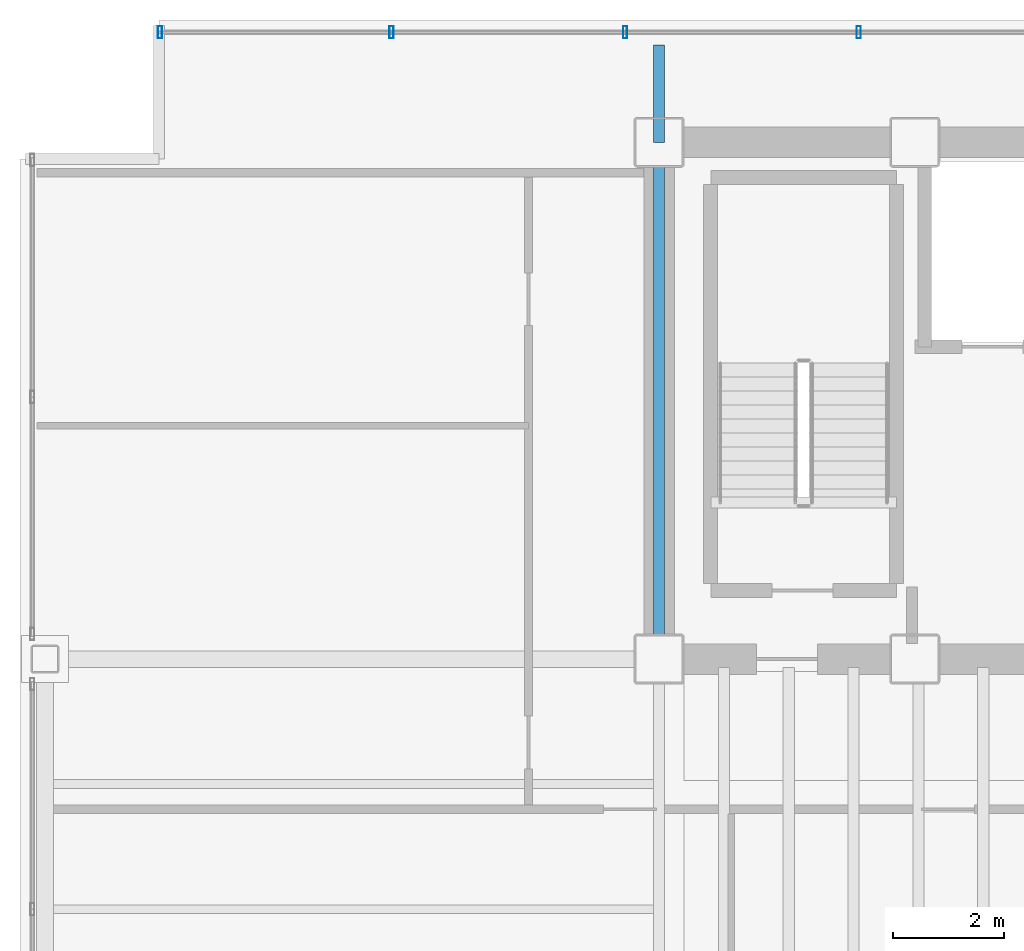
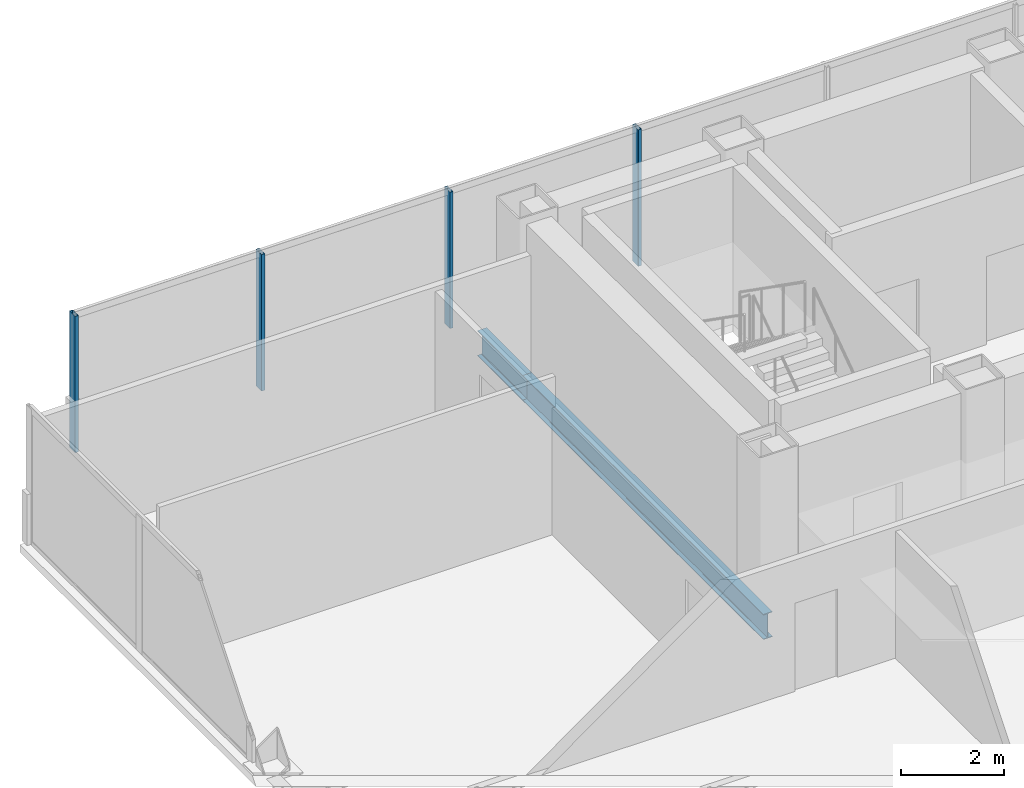
# One storey, part 8 of 20: 4 members, 2 beams, 1 element without a shape of its own.
"""IFC4 building model written with IfcOpenShell, lengths in metres."""

from ifc_helpers import new_model, si_unit, direction, frame, origin, origin_2d, place, context, subcontext, project, spatial, hollow_rectangle, i_section, extrude, material, material_profile, profile_set, type_object, element, aggregate, save


model = new_model("IFC4")

# Units and contexts
model_context = context("Model", 3, precision=1e-05, world=origin(), true_north=direction((0.0, 1.0)))
body_context = subcontext(model_context, "Body", "Model", "MODEL_VIEW")
ifc_project = project(units=[si_unit("LENGTHUNIT", "METRE"), si_unit("AREAUNIT", "SQUARE_METRE"), si_unit("VOLUMEUNIT", "CUBIC_METRE"), si_unit("PLANEANGLEUNIT", "RADIAN"), si_unit("MASSUNIT", "GRAM", prefix="KILO")], contexts=[model_context])

# Site, building, storey
site_placement = place(None, origin())
site = spatial("IfcSite", under=ifc_project, at=site_placement, CompositionType="ELEMENT")
building_placement = place(site_placement, origin())
building = spatial("IfcBuilding", under=site, at=building_placement, Name="Noeulbin Bourse Tower", CompositionType="ELEMENT")
storey_placement = place(building_placement, frame((0.0, 0.0, 118.800048828125)))
storey = spatial("IfcBuildingStorey", under=building, at=storey_placement, Name="L29", CompositionType="ELEMENT", Elevation=118.800048828125)

# Beams
ifc_material_1 = material(Name="Steel S355", Category="steel")
ifc_material_profile_1 = material_profile(ifc_material_1, i_section(OverallWidth=0.199951171875, OverallDepth=0.60009765625, WebThickness=0.010986328125, FlangeThickness=0.01708984375, FilletRadius=0.02197265625, at=origin_2d()), Name="H-600x200x11x17", Category="LoadBearing")
ifc_profile_set_1 = profile_set([ifc_material_profile_1], Name="Steel S355")
beam_type = type_object("IfcBeamType", Name="BM-GRD-600", PredefinedType="USERDEFINED", material=ifc_profile_set_1)
beam_1_placement = place(storey_placement, frame((13.5, 29.0, -0.47998046875), z_axis=(0.0, 1.0, 0.0), x_axis=(-1.0, 0.0, 0.0)))
element("IfcBeam", 1, at=beam_1_placement, inside=storey, type_object=beam_type, Name="Tower Primary Girder NS L29-1.3", ObjectType="GIRDER", PredefinedType="USERDEFINED", context=body_context, shape_type="SweptSolid", body=[
    extrude(i_section(OverallWidth=0.199951171875, OverallDepth=0.60009765625, WebThickness=0.010986328125, FlangeThickness=0.01708984375, FilletRadius=0.02197265625, at=origin_2d()), origin(), (0.0, 0.0, 1.0), 9.300048828125),
])
beam_2_placement = place(storey_placement, frame((13.5, 38.300048828125, -0.47998046875), z_axis=(0.0, 1.0, 0.0), x_axis=(-1.0, 0.0, 0.0)))
element("IfcBeam", 2, at=beam_2_placement, inside=storey, type_object=beam_type, Name="Tower Primary Girder NS L29-1.4", ObjectType="GIRDER", PredefinedType="USERDEFINED", context=body_context, shape_type="SweptSolid", body=[
    extrude(i_section(OverallWidth=0.199951171875, OverallDepth=0.60009765625, WebThickness=0.010986328125, FlangeThickness=0.01708984375, FilletRadius=0.02197265625, at=origin_2d()), origin(), (0.0, 0.0, 1.0), 1.75),
])

# Curtain wall, members
ifc_material_2 = material(Name="Dark Tinted Triple Glazing", Category="glass")
curtain_wall_type = type_object("IfcCurtainWallType", Name="CW-SYS-3", PredefinedType="NOTDEFINED", material=ifc_material_2)
curtain_wall_placement = place(storey_placement, origin())
curtain_wall = element("IfcCurtainWall", 3, at=curtain_wall_placement, inside=storey, type_object=curtain_wall_type, Name="Unitised Curtain Wall CW-L29-N", PredefinedType="NOTDEFINED")
ifc_material_3 = material(Name="Anodised Aluminium 6063-T6", Category="aluminium")
ifc_material_profile_2 = material_profile(ifc_material_3, hollow_rectangle(XDim=0.074951171875, YDim=0.219970703125, WallThickness=0.0048828125, InnerFilletRadius=0.00244140625, OuterFilletRadius=0.0048828125, at=origin_2d()), Name="ALU-MULL-75x220x5", Category="LoadBearing")
ifc_profile_set_2 = profile_set([ifc_material_profile_2], Name="Anodised Aluminium 6063-T6")
member_type = type_object("IfcMemberType", Name="CW-SYS-3-MUL", PredefinedType="MULLION", material=ifc_profile_set_2)
member_1_placement = place(storey_placement, frame((4.52001953125, 40.280029296875, -0.02001953125), z_axis=(0.0, 0.0, 1.0), x_axis=(1.0, 0.0, 0.0)))
member_1 = element("IfcMember", 4, at=member_1_placement, type_object=member_type, Name="Curtain Wall Mullion CW-L29-N-M00", PredefinedType="MULLION", context=body_context, shape_type="SweptSolid", body=[
    extrude(hollow_rectangle(XDim=0.074951171875, YDim=0.219970703125, WallThickness=0.0048828125, InnerFilletRadius=0.00244140625, OuterFilletRadius=0.0048828125, at=origin_2d()), origin(), (0.0, 0.0, 1.0), 3.219970703125),
])
member_2_placement = place(storey_placement, frame((8.68408203125, 40.280029296875, -0.02001953125), z_axis=(0.0, 0.0, 1.0), x_axis=(1.0, 0.0, 0.0)))
member_2 = element("IfcMember", 5, at=member_2_placement, type_object=member_type, Name="Curtain Wall Mullion CW-L29-N-M01", PredefinedType="MULLION", context=body_context, shape_type="SweptSolid", body=[
    extrude(hollow_rectangle(XDim=0.074951171875, YDim=0.219970703125, WallThickness=0.0048828125, InnerFilletRadius=0.00244140625, OuterFilletRadius=0.0048828125, at=origin_2d()), origin(), (0.0, 0.0, 1.0), 3.219970703125),
])
member_3_placement = place(storey_placement, frame((12.887939453125, 40.280029296875, -0.02001953125), z_axis=(0.0, 0.0, 1.0), x_axis=(1.0, 0.0, 0.0)))
member_3 = element("IfcMember", 6, at=member_3_placement, type_object=member_type, Name="Curtain Wall Mullion CW-L29-N-M02", PredefinedType="MULLION", context=body_context, shape_type="SweptSolid", body=[
    extrude(hollow_rectangle(XDim=0.074951171875, YDim=0.219970703125, WallThickness=0.0048828125, InnerFilletRadius=0.00244140625, OuterFilletRadius=0.0048828125, at=origin_2d()), origin(), (0.0, 0.0, 1.0), 3.219970703125),
])
member_4_placement = place(storey_placement, frame((17.092041015625, 40.280029296875, -0.02001953125), z_axis=(0.0, 0.0, 1.0), x_axis=(1.0, 0.0, 0.0)))
member_4 = element("IfcMember", 7, at=member_4_placement, type_object=member_type, Name="Curtain Wall Mullion CW-L29-N-M03", PredefinedType="MULLION", context=body_context, shape_type="SweptSolid", body=[
    extrude(hollow_rectangle(XDim=0.074951171875, YDim=0.219970703125, WallThickness=0.0048828125, InnerFilletRadius=0.00244140625, OuterFilletRadius=0.0048828125, at=origin_2d()), origin(), (0.0, 0.0, 1.0), 3.219970703125),
])
aggregate(curtain_wall, [member_1, member_2, member_3, member_4])

save(model, "model.ifc")
